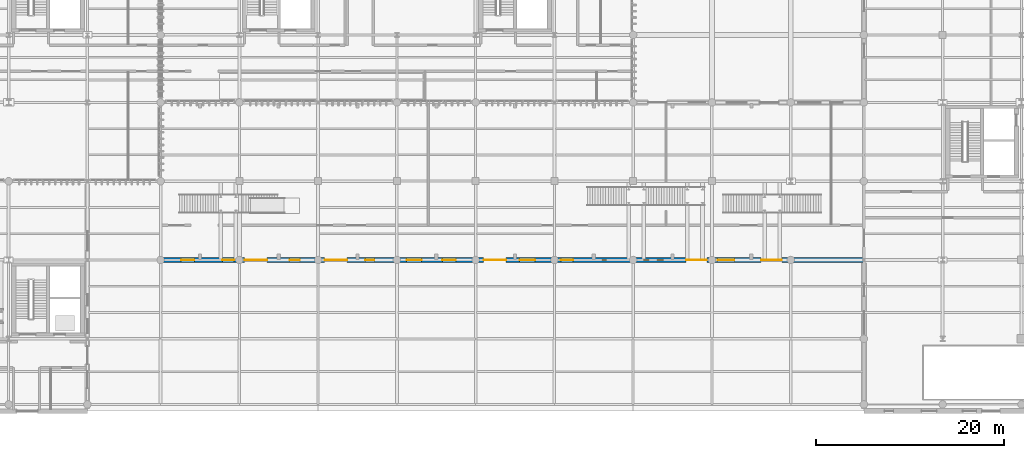
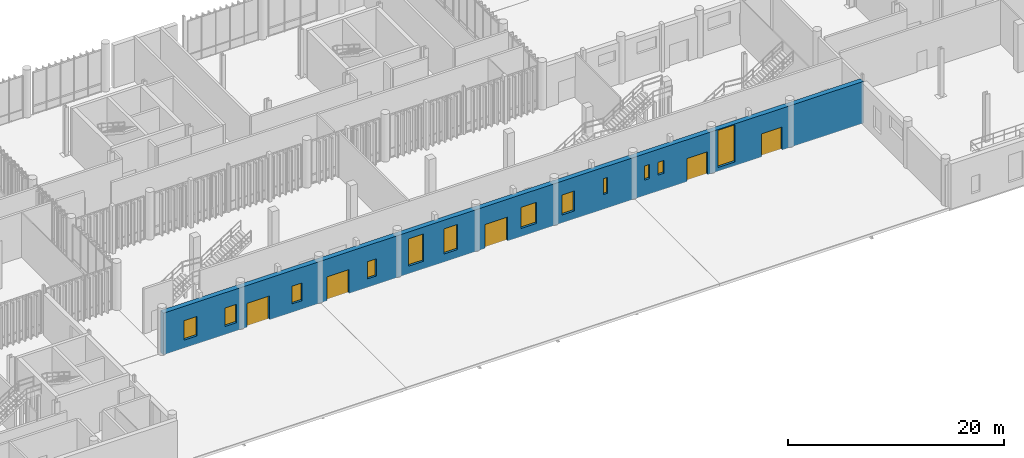
# One storey, part 89 of 112: 12 windows, 5 doors, 1 wall, 17 openings.
"""IFC4 building model written with IfcOpenShell, lengths in metres."""

from ifc_helpers import new_model, si_unit, direction, frame, frame_2d, origin_with_axes, place, context, subcontext, project, spatial, rectangle, extrude, material, layer, layer_set, type_object, element, fill, save


model = new_model("IFC4")

# Units and contexts
model_context = context("Model", 3, precision=1e-05, world=origin_with_axes(), true_north=direction((0.0, 1.0)))
body_context = subcontext(model_context, "Body", "Model", "MODEL_VIEW")
ifc_project = project(units=[si_unit("LENGTHUNIT", "METRE"), si_unit("AREAUNIT", "SQUARE_METRE"), si_unit("VOLUMEUNIT", "CUBIC_METRE"), si_unit("PLANEANGLEUNIT", "RADIAN"), si_unit("MASSUNIT", "GRAM", prefix="KILO"), si_unit("THERMODYNAMICTEMPERATUREUNIT", "KELVIN")], contexts=[model_context])

# Site, building, storey
site_placement = place(None, origin_with_axes())
site = spatial("IfcSite", under=ifc_project, at=site_placement, CompositionType="ELEMENT")
building_placement = place(site_placement, origin_with_axes())
building = spatial("IfcBuilding", under=site, at=building_placement, Name="Montbau Bow Law Courts", CompositionType="ELEMENT")
storey_placement = place(building_placement, origin_with_axes())
storey = spatial("IfcBuildingStorey", under=building, at=storey_placement, Name="L00", CompositionType="ELEMENT", Elevation=0.0)

# Wall, openings, doors, windows
ifc_material_1 = material(Name="Canmore Rundlestone Plinth Masonry on Concrete Backing CSA A23.1 f'c 35 MPa", Category="masonry")
ifc_layer = layer(ifc_material_1, 0.52, Name="Solid Wall", Category="masonry")
ifc_layer_set = layer_set([ifc_layer], Name="Canmore Rundlestone Plinth Masonry on Concrete Backing CSA A23.1 f'c 35 MPa")
wall_type = type_object("IfcWallType", Name="W-EXT-02", PredefinedType="SOLIDWALL", material=ifc_layer_set)
wall_placement = place(None, frame((46.8, 22.2, 0.0), z_axis=(0.0, 0.0, 1.0), x_axis=(1.0, 0.0, 0.0)))
wall = element("IfcWall", 1, at=wall_placement, inside=storey, type_object=wall_type, Name="WE-L00-007:wal_0024", PredefinedType="SOLIDWALL", context=body_context, shape_type="SweptSolid", body=[
    extrude(rectangle(XDim=74.95, YDim=0.52, at=frame_2d((37.475, 0.0), x_axis=(1.0, 0.0))), origin_with_axes(), (0.0, 0.0, 1.0), 4.724),
])
opening_1_placement = place(None, frame((56.95, 22.2, 0.0), z_axis=(0.0, 0.0, 1.0), x_axis=(1.0, 0.0, 0.0)))
opening_1 = element("IfcOpeningElement", 2, at=opening_1_placement, cuts=wall, Name="OP-D-L00-E01", PredefinedType="OPENING", context=body_context, shape_type="SweptSolid", body=[
    extrude(rectangle(XDim=2.4, YDim=2.7, at=frame_2d((0.0, 1.35), x_axis=(1.0, 0.0))), frame((0.0, 0.27, 0.0), z_axis=(0.0, -1.0, 0.0), x_axis=(1.0, 0.0, 0.0)), (0.0, 0.0, 1.0), 0.54),
])
opening_2_placement = place(None, frame((65.5, 22.2, 0.0), z_axis=(0.0, 0.0, 1.0), x_axis=(1.0, 0.0, 0.0)))
opening_2 = element("IfcOpeningElement", 3, at=opening_2_placement, cuts=wall, Name="OP-D-L00-E02", PredefinedType="OPENING", context=body_context, shape_type="SweptSolid", body=[
    extrude(rectangle(XDim=2.4, YDim=2.7, at=frame_2d((0.0, 1.35), x_axis=(1.0, 0.0))), frame((0.0, 0.27, 0.0), z_axis=(0.0, -1.0, 0.0), x_axis=(1.0, 0.0, 0.0)), (0.0, 0.0, 1.0), 0.54),
])
opening_3_placement = place(None, frame((82.45, 22.2, 0.0), z_axis=(0.0, 0.0, 1.0), x_axis=(1.0, 0.0, 0.0)))
opening_3 = element("IfcOpeningElement", 4, at=opening_3_placement, cuts=wall, Name="OP-D-L00-E18", PredefinedType="OPENING", context=body_context, shape_type="SweptSolid", body=[
    extrude(rectangle(XDim=2.4, YDim=2.7, at=frame_2d((0.0, 1.35), x_axis=(1.0, 0.0))), frame((0.0, 0.27, 0.0), z_axis=(0.0, -1.0, 0.0), x_axis=(1.0, 0.0, 0.0)), (0.0, 0.0, 1.0), 0.54),
])
opening_4_placement = place(None, frame((103.95, 22.2, 0.0), z_axis=(0.0, 0.0, 1.0), x_axis=(1.0, 0.0, 0.0)))
opening_4 = element("IfcOpeningElement", 5, at=opening_4_placement, cuts=wall, Name="OP-D-L00-E03", PredefinedType="OPENING", context=body_context, shape_type="SweptSolid", body=[
    extrude(rectangle(XDim=2.2, YDim=2.6, at=frame_2d((0.0, 1.3), x_axis=(1.0, 0.0))), frame((0.0, 0.27, 0.0), z_axis=(0.0, -1.0, 0.0), x_axis=(1.0, 0.0, 0.0)), (0.0, 0.0, 1.0), 0.54),
])
opening_5_placement = place(None, frame((111.95, 22.2, 0.0), z_axis=(0.0, 0.0, 1.0), x_axis=(1.0, 0.0, 0.0)))
opening_5 = element("IfcOpeningElement", 6, at=opening_5_placement, cuts=wall, Name="OP-D-L00-E04", PredefinedType="OPENING", context=body_context, shape_type="SweptSolid", body=[
    extrude(rectangle(XDim=2.2, YDim=2.6, at=frame_2d((0.0, 1.3), x_axis=(1.0, 0.0))), frame((0.0, 0.27, 0.0), z_axis=(0.0, -1.0, 0.0), x_axis=(1.0, 0.0, 0.0)), (0.0, 0.0, 1.0), 0.54),
])
opening_6_placement = place(None, frame((49.7, 22.2, 0.9), z_axis=(0.0, 0.0, 1.0), x_axis=(1.0, 0.0, 0.0)))
opening_6 = element("IfcOpeningElement", 7, at=opening_6_placement, cuts=wall, Name="OP-WN-L00-032", PredefinedType="OPENING", context=body_context, shape_type="SweptSolid", body=[
    extrude(rectangle(XDim=1.4, YDim=2.2, at=frame_2d((0.0, 1.1), x_axis=(1.0, 0.0))), frame((0.0, 0.27, 0.0), z_axis=(0.0, -1.0, 0.0), x_axis=(1.0, 0.0, 0.0)), (0.0, 0.0, 1.0), 0.54),
])
opening_7_placement = place(None, frame((54.025, 22.2, 0.9), z_axis=(0.0, 0.0, 1.0), x_axis=(1.0, 0.0, 0.0)))
opening_7 = element("IfcOpeningElement", 8, at=opening_7_placement, cuts=wall, Name="OP-WN-L00-033", PredefinedType="OPENING", context=body_context, shape_type="SweptSolid", body=[
    extrude(rectangle(XDim=1.25, YDim=2.1, at=frame_2d((0.0, 1.05), x_axis=(1.0, 0.0))), frame((0.0, 0.27, 0.0), z_axis=(0.0, -1.0, 0.0), x_axis=(1.0, 0.0, 0.0)), (0.0, 0.0, 1.0), 0.54),
])
opening_8_placement = place(None, frame((61.1, 22.2, 0.95), z_axis=(0.0, 0.0, 1.0), x_axis=(1.0, 0.0, 0.0)))
opening_8 = element("IfcOpeningElement", 9, at=opening_8_placement, cuts=wall, Name="OP-WN-L00-034", PredefinedType="OPENING", context=body_context, shape_type="SweptSolid", body=[
    extrude(rectangle(XDim=1.1, YDim=2.0, at=frame_2d((0.0, 1.0), x_axis=(1.0, 0.0))), frame((0.0, 0.27, 0.0), z_axis=(0.0, -1.0, 0.0), x_axis=(1.0, 0.0, 0.0)), (0.0, 0.0, 1.0), 0.54),
])
opening_9_placement = place(None, frame((69.125, 22.2, 0.95), z_axis=(0.0, 0.0, 1.0), x_axis=(1.0, 0.0, 0.0)))
opening_9 = element("IfcOpeningElement", 10, at=opening_9_placement, cuts=wall, Name="OP-WN-L00-035", PredefinedType="OPENING", context=body_context, shape_type="SweptSolid", body=[
    extrude(rectangle(XDim=0.95, YDim=1.95, at=frame_2d((0.0, 0.975), x_axis=(1.0, 0.0))), frame((0.0, 0.27, 0.0), z_axis=(0.0, -1.0, 0.0), x_axis=(1.0, 0.0, 0.0)), (0.0, 0.0, 1.0), 0.54),
])
opening_10_placement = place(None, frame((73.85, 22.2, 0.85), z_axis=(0.0, 0.0, 1.0), x_axis=(1.0, 0.0, 0.0)))
opening_10 = element("IfcOpeningElement", 11, at=opening_10_placement, cuts=wall, Name="OP-WN-L00-036", PredefinedType="OPENING", context=body_context, shape_type="SweptSolid", body=[
    extrude(rectangle(XDim=1.6, YDim=3.1, at=frame_2d((0.0, 1.55), x_axis=(1.0, 0.0))), frame((0.0, 0.27, 0.0), z_axis=(0.0, -1.0, 0.0), x_axis=(1.0, 0.0, 0.0)), (0.0, 0.0, 1.0), 0.54),
])
opening_11_placement = place(None, frame((77.575, 22.2, 0.9), z_axis=(0.0, 0.0, 1.0), x_axis=(1.0, 0.0, 0.0)))
opening_11 = element("IfcOpeningElement", 12, at=opening_11_placement, cuts=wall, Name="OP-WN-L00-037", PredefinedType="OPENING", context=body_context, shape_type="SweptSolid", body=[
    extrude(rectangle(XDim=1.45, YDim=2.85, at=frame_2d((0.0, 1.425), x_axis=(1.0, 0.0))), frame((0.0, 0.27, 0.0), z_axis=(0.0, -1.0, 0.0), x_axis=(1.0, 0.0, 0.0)), (0.0, 0.0, 1.0), 0.54),
])
opening_12_placement = place(None, frame((85.925, 22.2, 0.9), z_axis=(0.0, 0.0, 1.0), x_axis=(1.0, 0.0, 0.0)))
opening_12 = element("IfcOpeningElement", 13, at=opening_12_placement, cuts=wall, Name="OP-WN-L00-038", PredefinedType="OPENING", context=body_context, shape_type="SweptSolid", body=[
    extrude(rectangle(XDim=1.65, YDim=2.4, at=frame_2d((0.0, 1.2), x_axis=(1.0, 0.0))), frame((0.0, 0.27, 0.0), z_axis=(0.0, -1.0, 0.0), x_axis=(1.0, 0.0, 0.0)), (0.0, 0.0, 1.0), 0.54),
])
opening_13_placement = place(None, frame((90.15, 22.2, 0.9), z_axis=(0.0, 0.0, 1.0), x_axis=(1.0, 0.0, 0.0)))
opening_13 = element("IfcOpeningElement", 14, at=opening_13_placement, cuts=wall, Name="OP-WN-L00-039", PredefinedType="OPENING", context=body_context, shape_type="SweptSolid", body=[
    extrude(rectangle(XDim=1.3, YDim=2.25, at=frame_2d((0.0, 1.125), x_axis=(1.0, 0.0))), frame((0.0, 0.27, 0.0), z_axis=(0.0, -1.0, 0.0), x_axis=(1.0, 0.0, 0.0)), (0.0, 0.0, 1.0), 0.54),
])
opening_14_placement = place(None, frame((94.125, 22.2, 1.65), z_axis=(0.0, 0.0, 1.0), x_axis=(1.0, 0.0, 0.0)))
opening_14 = element("IfcOpeningElement", 15, at=opening_14_placement, cuts=wall, Name="OP-WN-L00-040", PredefinedType="OPENING", context=body_context, shape_type="SweptSolid", body=[
    extrude(rectangle(XDim=0.45, YDim=1.8, at=frame_2d((0.0, 0.9), x_axis=(1.0, 0.0))), frame((0.0, 0.27, 0.0), z_axis=(0.0, -1.0, 0.0), x_axis=(1.0, 0.0, 0.0)), (0.0, 0.0, 1.0), 0.54),
])
opening_15_placement = place(None, frame((98.575, 22.2, 1.75), z_axis=(0.0, 0.0, 1.0), x_axis=(1.0, 0.0, 0.0)))
opening_15 = element("IfcOpeningElement", 16, at=opening_15_placement, cuts=wall, Name="OP-WN-L00-041", PredefinedType="OPENING", context=body_context, shape_type="SweptSolid", body=[
    extrude(rectangle(XDim=0.55, YDim=1.6, at=frame_2d((0.0, 0.8), x_axis=(1.0, 0.0))), frame((0.0, 0.27, 0.0), z_axis=(0.0, -1.0, 0.0), x_axis=(1.0, 0.0, 0.0)), (0.0, 0.0, 1.0), 0.54),
])
opening_16_placement = place(None, frame((100.075, 22.2, 1.8), z_axis=(0.0, 0.0, 1.0), x_axis=(1.0, 0.0, 0.0)))
opening_16 = element("IfcOpeningElement", 17, at=opening_16_placement, cuts=wall, Name="OP-WN-L00-042", PredefinedType="OPENING", context=body_context, shape_type="SweptSolid", body=[
    extrude(rectangle(XDim=0.65, YDim=1.45, at=frame_2d((0.0, 0.725), x_axis=(1.0, 0.0))), frame((0.0, 0.27, 0.0), z_axis=(0.0, -1.0, 0.0), x_axis=(1.0, 0.0, 0.0)), (0.0, 0.0, 1.0), 0.54),
])
opening_17_placement = place(None, frame((107.1, 22.2, 0.424), z_axis=(0.0, 0.0, 1.0), x_axis=(1.0, 0.0, 0.0)))
opening_17 = element("IfcOpeningElement", 18, at=opening_17_placement, cuts=wall, Name="OP-WN-L00-043", PredefinedType="OPENING", context=body_context, shape_type="SweptSolid", body=[
    extrude(rectangle(XDim=1.8, YDim=4.2, at=frame_2d((0.0, 2.1), x_axis=(1.0, 0.0))), frame((0.0, 0.27, 0.0), z_axis=(0.0, -1.0, 0.0), x_axis=(1.0, 0.0, 0.0)), (0.0, 0.0, 1.0), 0.54),
])
ifc_material_2 = material(Name="Thermally Broken Bronze-Anodised Aluminium Glazed Entrance Door", Category="aluminium")
door_type_1 = type_object("IfcDoorType", Name="D-EXT-01", OperationType="NOTDEFINED", ParameterTakesPrecedence=False, PredefinedType="DOOR", material=ifc_material_2)
door_1_placement = place(None, frame((56.95, 22.2, 0.0), z_axis=(0.0, 0.0, 1.0), x_axis=(-1.0, 0.0, 0.0)))
door_1 = element("IfcDoor", 19, at=door_1_placement, inside=storey, type_object=door_type_1, Name="D-L00-E01:dor_0001", OperationType="DOUBLE_DOOR_SINGLE_SWING", OverallHeight=2.7, OverallWidth=2.4, PredefinedType="DOOR", context=body_context, shape_type="SweptSolid", body=[
    extrude(rectangle(XDim=2.4, YDim=2.7, at=frame_2d((0.0, 1.35), x_axis=(1.0, 0.0))), frame((0.0, 0.04, 0.0), z_axis=(0.0, -1.0, 0.0), x_axis=(1.0, 0.0, 0.0)), (0.0, 0.0, 1.0), 0.08),
])
fill(opening_1, door_1)
door_2_placement = place(None, frame((65.5, 22.2, 0.0), z_axis=(0.0, 0.0, 1.0), x_axis=(-1.0, 0.0, 0.0)))
door_2 = element("IfcDoor", 20, at=door_2_placement, inside=storey, type_object=door_type_1, Name="D-L00-E02:dor_0002", OperationType="DOUBLE_DOOR_SINGLE_SWING", OverallHeight=2.7, OverallWidth=2.4, PredefinedType="DOOR", context=body_context, shape_type="SweptSolid", body=[
    extrude(rectangle(XDim=2.4, YDim=2.7, at=frame_2d((0.0, 1.35), x_axis=(1.0, 0.0))), frame((0.0, 0.04, 0.0), z_axis=(0.0, -1.0, 0.0), x_axis=(1.0, 0.0, 0.0)), (0.0, 0.0, 1.0), 0.08),
])
fill(opening_2, door_2)
door_3_placement = place(None, frame((82.45, 22.2, 0.0), z_axis=(0.0, 0.0, 1.0), x_axis=(-1.0, 0.0, 0.0)))
door_3 = element("IfcDoor", 21, at=door_3_placement, inside=storey, type_object=door_type_1, Name="D-L00-E18:dor_0003", OperationType="DOUBLE_DOOR_SINGLE_SWING", OverallHeight=2.7, OverallWidth=2.4, PredefinedType="DOOR", context=body_context, shape_type="SweptSolid", body=[
    extrude(rectangle(XDim=2.4, YDim=2.7, at=frame_2d((0.0, 1.35), x_axis=(1.0, 0.0))), frame((0.0, 0.04, 0.0), z_axis=(0.0, -1.0, 0.0), x_axis=(1.0, 0.0, 0.0)), (0.0, 0.0, 1.0), 0.08),
])
fill(opening_3, door_3)
ifc_material_3 = material(Name="Thermally Broken Bronze-Anodised Aluminium Exit Door", Category="aluminium")
door_type_2 = type_object("IfcDoorType", Name="D-EXT-02", OperationType="NOTDEFINED", ParameterTakesPrecedence=False, PredefinedType="DOOR", material=ifc_material_3)
door_4_placement = place(None, frame((103.95, 22.2, 0.0), z_axis=(0.0, 0.0, 1.0), x_axis=(-1.0, 0.0, 0.0)))
door_4 = element("IfcDoor", 22, at=door_4_placement, inside=storey, type_object=door_type_2, Name="D-L00-E03:dor_0004", OperationType="DOUBLE_DOOR_SINGLE_SWING", OverallHeight=2.6, OverallWidth=2.2, PredefinedType="DOOR", context=body_context, shape_type="SweptSolid", body=[
    extrude(rectangle(XDim=2.2, YDim=2.6, at=frame_2d((0.0, 1.3), x_axis=(1.0, 0.0))), frame((0.0, 0.04, 0.0), z_axis=(0.0, -1.0, 0.0), x_axis=(1.0, 0.0, 0.0)), (0.0, 0.0, 1.0), 0.08),
])
fill(opening_4, door_4)
door_5_placement = place(None, frame((111.95, 22.2, 0.0), z_axis=(0.0, 0.0, 1.0), x_axis=(-1.0, 0.0, 0.0)))
door_5 = element("IfcDoor", 23, at=door_5_placement, inside=storey, type_object=door_type_2, Name="D-L00-E04:dor_0005", OperationType="DOUBLE_DOOR_SINGLE_SWING", OverallHeight=2.6, OverallWidth=2.2, PredefinedType="DOOR", context=body_context, shape_type="SweptSolid", body=[
    extrude(rectangle(XDim=2.2, YDim=2.6, at=frame_2d((0.0, 1.3), x_axis=(1.0, 0.0))), frame((0.0, 0.04, 0.0), z_axis=(0.0, -1.0, 0.0), x_axis=(1.0, 0.0, 0.0)), (0.0, 0.0, 1.0), 0.08),
])
fill(opening_5, door_5)
ifc_material_4 = material(Name="Triple-Glazed Low-E Argon Insulating Glass Unit", Category="glass")
window_type_1 = type_object("IfcWindowType", Name="WN-APP-01", ParameterTakesPrecedence=False, PartitioningType="SINGLE_PANEL", PredefinedType="WINDOW", material=ifc_material_4)
window_1_placement = place(None, frame((85.925, 22.2, 0.9), z_axis=(0.0, 0.0, 1.0), x_axis=(1.0, 0.0, 0.0)))
window_1 = element("IfcWindow", 24, at=window_1_placement, inside=storey, type_object=window_type_1, Name="WN-L00-038:win_0038", OverallHeight=2.4, OverallWidth=1.65, PartitioningType="SINGLE_PANEL", PredefinedType="WINDOW", context=body_context, shape_type="SweptSolid", body=[
    extrude(rectangle(XDim=1.65, YDim=2.4, at=frame_2d((0.0, 1.2), x_axis=(1.0, 0.0))), frame((0.0, 0.03, 0.0), z_axis=(0.0, -1.0, 0.0), x_axis=(1.0, 0.0, 0.0)), (0.0, 0.0, 1.0), 0.06),
])
fill(opening_12, window_1)
window_type_2 = type_object("IfcWindowType", Name="WN-APP-02", ParameterTakesPrecedence=False, PartitioningType="SINGLE_PANEL", PredefinedType="WINDOW", material=ifc_material_4)
window_2_placement = place(None, frame((90.15, 22.2, 0.9), z_axis=(0.0, 0.0, 1.0), x_axis=(1.0, 0.0, 0.0)))
window_2 = element("IfcWindow", 25, at=window_2_placement, inside=storey, type_object=window_type_2, Name="WN-L00-039:win_0039", OverallHeight=2.25, OverallWidth=1.3, PartitioningType="SINGLE_PANEL", PredefinedType="WINDOW", context=body_context, shape_type="SweptSolid", body=[
    extrude(rectangle(XDim=1.3, YDim=2.25, at=frame_2d((0.0, 1.125), x_axis=(1.0, 0.0))), frame((0.0, 0.03, 0.0), z_axis=(0.0, -1.0, 0.0), x_axis=(1.0, 0.0, 0.0)), (0.0, 0.0, 1.0), 0.06),
])
fill(opening_13, window_2)
window_type_3 = type_object("IfcWindowType", Name="WN-CER-01", ParameterTakesPrecedence=False, PartitioningType="SINGLE_PANEL", PredefinedType="WINDOW", material=ifc_material_4)
window_3_placement = place(None, frame((107.1, 22.2, 0.424), z_axis=(0.0, 0.0, 1.0), x_axis=(1.0, 0.0, 0.0)))
window_3 = element("IfcWindow", 26, at=window_3_placement, inside=storey, type_object=window_type_3, Name="WN-L00-043:win_0043", OverallHeight=4.2, OverallWidth=1.8, PartitioningType="SINGLE_PANEL", PredefinedType="WINDOW", context=body_context, shape_type="SweptSolid", body=[
    extrude(rectangle(XDim=1.8, YDim=4.2, at=frame_2d((0.0, 2.1), x_axis=(1.0, 0.0))), frame((0.0, 0.03, 0.0), z_axis=(0.0, -1.0, 0.0), x_axis=(1.0, 0.0, 0.0)), (0.0, 0.0, 1.0), 0.06),
])
fill(opening_17, window_3)
window_type_4 = type_object("IfcWindowType", Name="WN-CHM-01", ParameterTakesPrecedence=False, PartitioningType="SINGLE_PANEL", PredefinedType="WINDOW", material=ifc_material_4)
window_4_placement = place(None, frame((49.7, 22.2, 0.9), z_axis=(0.0, 0.0, 1.0), x_axis=(1.0, 0.0, 0.0)))
window_4 = element("IfcWindow", 27, at=window_4_placement, inside=storey, type_object=window_type_4, Name="WN-L00-032:win_0032", OverallHeight=2.2, OverallWidth=1.4, PartitioningType="SINGLE_PANEL", PredefinedType="WINDOW", context=body_context, shape_type="SweptSolid", body=[
    extrude(rectangle(XDim=1.4, YDim=2.2, at=frame_2d((0.0, 1.1), x_axis=(1.0, 0.0))), frame((0.0, 0.03, 0.0), z_axis=(0.0, -1.0, 0.0), x_axis=(1.0, 0.0, 0.0)), (0.0, 0.0, 1.0), 0.06),
])
fill(opening_6, window_4)
window_type_5 = type_object("IfcWindowType", Name="WN-CHM-02", ParameterTakesPrecedence=False, PartitioningType="SINGLE_PANEL", PredefinedType="WINDOW", material=ifc_material_4)
window_5_placement = place(None, frame((54.025, 22.2, 0.9), z_axis=(0.0, 0.0, 1.0), x_axis=(1.0, 0.0, 0.0)))
window_5 = element("IfcWindow", 28, at=window_5_placement, inside=storey, type_object=window_type_5, Name="WN-L00-033:win_0033", OverallHeight=2.1, OverallWidth=1.25, PartitioningType="SINGLE_PANEL", PredefinedType="WINDOW", context=body_context, shape_type="SweptSolid", body=[
    extrude(rectangle(XDim=1.25, YDim=2.1, at=frame_2d((0.0, 1.05), x_axis=(1.0, 0.0))), frame((0.0, 0.03, 0.0), z_axis=(0.0, -1.0, 0.0), x_axis=(1.0, 0.0, 0.0)), (0.0, 0.0, 1.0), 0.06),
])
fill(opening_7, window_5)
window_type_6 = type_object("IfcWindowType", Name="WN-CHM-03", ParameterTakesPrecedence=False, PartitioningType="SINGLE_PANEL", PredefinedType="WINDOW", material=ifc_material_4)
window_6_placement = place(None, frame((61.1, 22.2, 0.95), z_axis=(0.0, 0.0, 1.0), x_axis=(1.0, 0.0, 0.0)))
window_6 = element("IfcWindow", 29, at=window_6_placement, inside=storey, type_object=window_type_6, Name="WN-L00-034:win_0034", OverallHeight=2.0, OverallWidth=1.1, PartitioningType="SINGLE_PANEL", PredefinedType="WINDOW", context=body_context, shape_type="SweptSolid", body=[
    extrude(rectangle(XDim=1.1, YDim=2.0, at=frame_2d((0.0, 1.0), x_axis=(1.0, 0.0))), frame((0.0, 0.03, 0.0), z_axis=(0.0, -1.0, 0.0), x_axis=(1.0, 0.0, 0.0)), (0.0, 0.0, 1.0), 0.06),
])
fill(opening_8, window_6)
window_type_7 = type_object("IfcWindowType", Name="WN-CHM-04", ParameterTakesPrecedence=False, PartitioningType="SINGLE_PANEL", PredefinedType="WINDOW", material=ifc_material_4)
window_7_placement = place(None, frame((69.125, 22.2, 0.95), z_axis=(0.0, 0.0, 1.0), x_axis=(1.0, 0.0, 0.0)))
window_7 = element("IfcWindow", 30, at=window_7_placement, inside=storey, type_object=window_type_7, Name="WN-L00-035:win_0035", OverallHeight=1.95, OverallWidth=0.95, PartitioningType="SINGLE_PANEL", PredefinedType="WINDOW", context=body_context, shape_type="SweptSolid", body=[
    extrude(rectangle(XDim=0.95, YDim=1.95, at=frame_2d((0.0, 0.975), x_axis=(1.0, 0.0))), frame((0.0, 0.03, 0.0), z_axis=(0.0, -1.0, 0.0), x_axis=(1.0, 0.0, 0.0)), (0.0, 0.0, 1.0), 0.06),
])
fill(opening_9, window_7)
ifc_material_5 = material(Name="Laminated Ballistic-Resistant Triple Security Glazing", Category="glass")
window_type_8 = type_object("IfcWindowType", Name="WN-CUS-01", ParameterTakesPrecedence=False, PartitioningType="SINGLE_PANEL", PredefinedType="WINDOW", material=ifc_material_5)
window_8_placement = place(None, frame((94.125, 22.2, 1.65), z_axis=(0.0, 0.0, 1.0), x_axis=(1.0, 0.0, 0.0)))
window_8 = element("IfcWindow", 31, at=window_8_placement, inside=storey, type_object=window_type_8, Name="WN-L00-040:win_0040", OverallHeight=1.8, OverallWidth=0.45, PartitioningType="SINGLE_PANEL", PredefinedType="WINDOW", context=body_context, shape_type="SweptSolid", body=[
    extrude(rectangle(XDim=0.45, YDim=1.8, at=frame_2d((0.0, 0.9), x_axis=(1.0, 0.0))), frame((0.0, 0.03, 0.0), z_axis=(0.0, -1.0, 0.0), x_axis=(1.0, 0.0, 0.0)), (0.0, 0.0, 1.0), 0.06),
])
fill(opening_14, window_8)
window_type_9 = type_object("IfcWindowType", Name="WN-CUS-02", ParameterTakesPrecedence=False, PartitioningType="SINGLE_PANEL", PredefinedType="WINDOW", material=ifc_material_5)
window_9_placement = place(None, frame((98.575, 22.2, 1.75), z_axis=(0.0, 0.0, 1.0), x_axis=(1.0, 0.0, 0.0)))
window_9 = element("IfcWindow", 32, at=window_9_placement, inside=storey, type_object=window_type_9, Name="WN-L00-041:win_0041", OverallHeight=1.6, OverallWidth=0.55, PartitioningType="SINGLE_PANEL", PredefinedType="WINDOW", context=body_context, shape_type="SweptSolid", body=[
    extrude(rectangle(XDim=0.55, YDim=1.6, at=frame_2d((0.0, 0.8), x_axis=(1.0, 0.0))), frame((0.0, 0.03, 0.0), z_axis=(0.0, -1.0, 0.0), x_axis=(1.0, 0.0, 0.0)), (0.0, 0.0, 1.0), 0.06),
])
fill(opening_15, window_9)
window_type_10 = type_object("IfcWindowType", Name="WN-CUS-03", ParameterTakesPrecedence=False, PartitioningType="SINGLE_PANEL", PredefinedType="WINDOW", material=ifc_material_5)
window_10_placement = place(None, frame((100.075, 22.2, 1.8), z_axis=(0.0, 0.0, 1.0), x_axis=(1.0, 0.0, 0.0)))
window_10 = element("IfcWindow", 33, at=window_10_placement, inside=storey, type_object=window_type_10, Name="WN-L00-042:win_0042", OverallHeight=1.45, OverallWidth=0.65, PartitioningType="SINGLE_PANEL", PredefinedType="WINDOW", context=body_context, shape_type="SweptSolid", body=[
    extrude(rectangle(XDim=0.65, YDim=1.45, at=frame_2d((0.0, 0.725), x_axis=(1.0, 0.0))), frame((0.0, 0.03, 0.0), z_axis=(0.0, -1.0, 0.0), x_axis=(1.0, 0.0, 0.0)), (0.0, 0.0, 1.0), 0.06),
])
fill(opening_16, window_10)
window_type_11 = type_object("IfcWindowType", Name="WN-LIB-01", ParameterTakesPrecedence=False, PartitioningType="SINGLE_PANEL", PredefinedType="WINDOW", material=ifc_material_4)
window_11_placement = place(None, frame((73.85, 22.2, 0.85), z_axis=(0.0, 0.0, 1.0), x_axis=(1.0, 0.0, 0.0)))
window_11 = element("IfcWindow", 34, at=window_11_placement, inside=storey, type_object=window_type_11, Name="WN-L00-036:win_0036", OverallHeight=3.1, OverallWidth=1.6, PartitioningType="SINGLE_PANEL", PredefinedType="WINDOW", context=body_context, shape_type="SweptSolid", body=[
    extrude(rectangle(XDim=1.6, YDim=3.1, at=frame_2d((0.0, 1.55), x_axis=(1.0, 0.0))), frame((0.0, 0.03, 0.0), z_axis=(0.0, -1.0, 0.0), x_axis=(1.0, 0.0, 0.0)), (0.0, 0.0, 1.0), 0.06),
])
fill(opening_10, window_11)
window_type_12 = type_object("IfcWindowType", Name="WN-LIB-02", ParameterTakesPrecedence=False, PartitioningType="SINGLE_PANEL", PredefinedType="WINDOW", material=ifc_material_4)
window_12_placement = place(None, frame((77.575, 22.2, 0.9), z_axis=(0.0, 0.0, 1.0), x_axis=(1.0, 0.0, 0.0)))
window_12 = element("IfcWindow", 35, at=window_12_placement, inside=storey, type_object=window_type_12, Name="WN-L00-037:win_0037", OverallHeight=2.85, OverallWidth=1.45, PartitioningType="SINGLE_PANEL", PredefinedType="WINDOW", context=body_context, shape_type="SweptSolid", body=[
    extrude(rectangle(XDim=1.45, YDim=2.85, at=frame_2d((0.0, 1.425), x_axis=(1.0, 0.0))), frame((0.0, 0.03, 0.0), z_axis=(0.0, -1.0, 0.0), x_axis=(1.0, 0.0, 0.0)), (0.0, 0.0, 1.0), 0.06),
])
fill(opening_11, window_12)

save(model, "model.ifc")
